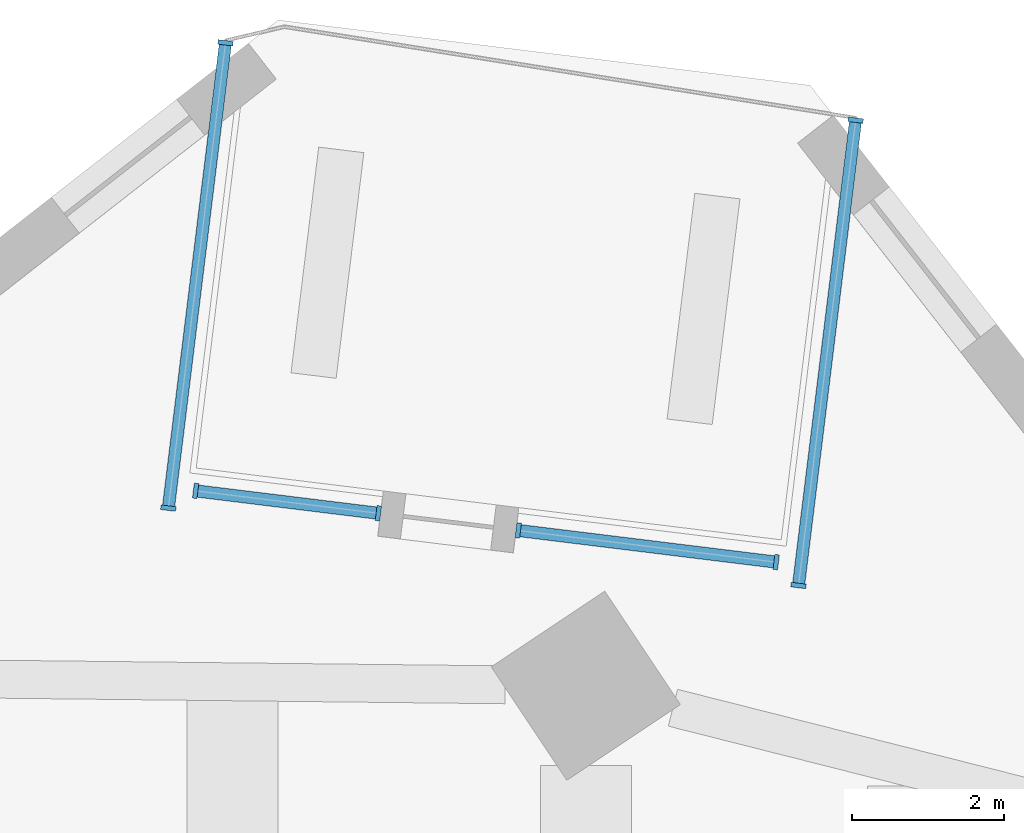
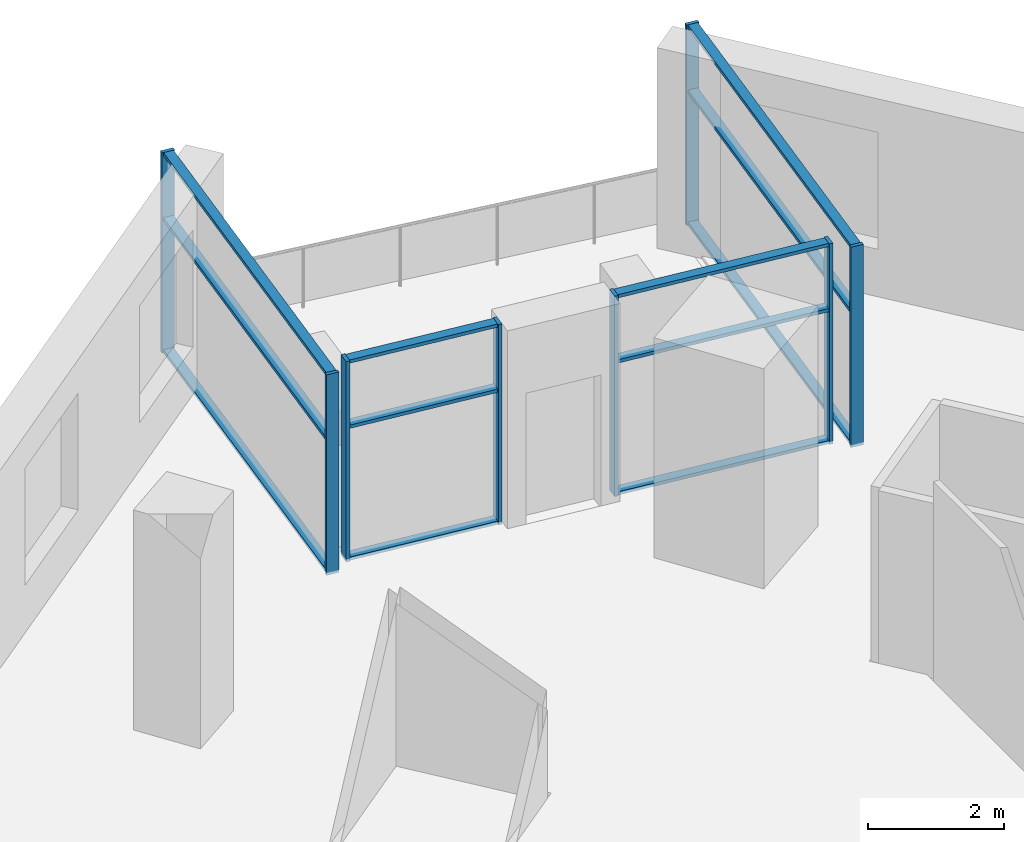
# One storey, part 2 of 11: 20 members, 4 elements without a shape of their own.
"""IFC4 building model written with IfcOpenShell, lengths in metres."""

from ifc_helpers import new_model, si_unit, direction, frame, origin, origin_2d, place, context, subcontext, project, spatial, rectangle, extrude, material, material_profile, profile_set, type_object, element, aggregate, save


model = new_model("IFC4")

# Units and contexts
model_context = context("Model", 3, precision=1e-05, world=origin(), true_north=direction((0.0, 1.0)))
body_context = subcontext(model_context, "Body", "Model", "MODEL_VIEW")
ifc_project = project(units=[si_unit("LENGTHUNIT", "METRE"), si_unit("AREAUNIT", "SQUARE_METRE"), si_unit("VOLUMEUNIT", "CUBIC_METRE"), si_unit("PLANEANGLEUNIT", "RADIAN"), si_unit("MASSUNIT", "GRAM", prefix="KILO")], contexts=[model_context])

# Site, building, storey
site_placement = place(None, origin())
site = spatial("IfcSite", under=ifc_project, at=site_placement, CompositionType="ELEMENT")
building_placement = place(site_placement, origin())
building = spatial("IfcBuilding", under=site, at=building_placement, Name="Dilmun Exchange Tower", CompositionType="ELEMENT")
storey_placement = place(building_placement, frame((0.0, 0.0, 179.699951171875)))
storey = spatial("IfcBuildingStorey", under=building, at=storey_placement, Name="L42", CompositionType="ELEMENT", Elevation=179.699951171875)

# Curtain wall, members
ifc_material_1 = material(Name="Anodised aluminium and clear glass", Category="aluminium")
curtain_wall_type = type_object("IfcCurtainWallType", Name="Garden corner glazing", PredefinedType="NOTDEFINED", material=ifc_material_1)
curtain_wall_1_placement = place(storey_placement, origin())
curtain_wall_1 = element("IfcCurtainWall", 1, at=curtain_wall_1_placement, inside=storey, type_object=curtain_wall_type, Name="Garden corner glazing run GC1.1", PredefinedType="NOTDEFINED")
ifc_material_2 = material(Name="Anodised aluminium", Category="aluminium")
ifc_material_profile_1 = material_profile(ifc_material_2, rectangle(XDim=0.199951171875, YDim=0.06005859375, at=origin_2d()), Name="AL 60x200")
ifc_profile_set_1 = profile_set([ifc_material_profile_1], Name="Anodised aluminium")
member_type_1 = type_object("IfcMemberType", Name="Garden corner glazing mullion 60 x 200", PredefinedType="MULLION", material=ifc_profile_set_1)
member_1_placement = place(storey_placement, frame((11.067138671875, 34.872802734375, 0.0), z_axis=(0.0, 0.0, 1.0), x_axis=(0.992545222089, -0.121876913761, 0.0)))
member_1 = element("IfcMember", 2, at=member_1_placement, type_object=member_type_1, Name="GC1.1 mullion 1", PredefinedType="MULLION", context=body_context, shape_type="SweptSolid", body=[
    extrude(rectangle(XDim=0.199951171875, YDim=0.06005859375, at=origin_2d()), origin(), (0.0, 0.0, 1.0), 3.60009765625),
])
member_2_placement = place(storey_placement, frame((10.313232421875, 28.732666015625, 0.0), z_axis=(0.0, 0.0, 1.0), x_axis=(0.992545222089, -0.121876913761, 0.0)))
member_2 = element("IfcMember", 3, at=member_2_placement, type_object=member_type_1, Name="GC1.1 mullion 2", PredefinedType="MULLION", context=body_context, shape_type="SweptSolid", body=[
    extrude(rectangle(XDim=0.199951171875, YDim=0.06005859375, at=origin_2d()), origin(), (0.0, 0.0, 1.0), 3.60009765625),
])

curtain_wall_2_placement = place(storey_placement, origin())
curtain_wall_2 = element("IfcCurtainWall", 4, at=curtain_wall_2_placement, inside=storey, type_object=curtain_wall_type, Name="Garden corner glazing run GC2.1", PredefinedType="NOTDEFINED")
member_3_placement = place(storey_placement, frame((10.0185546875, 29.040771484375, 0.0), z_axis=(0.0, 0.0, 1.0), x_axis=(-0.121893282904, -0.992543211947, 0.0)))
member_3 = element("IfcMember", 5, at=member_3_placement, type_object=member_type_1, Name="GC2.1 mullion 1", PredefinedType="MULLION", context=body_context, shape_type="SweptSolid", body=[
    extrude(rectangle(XDim=0.199951171875, YDim=0.06005859375, at=origin_2d()), origin(), (0.0, 0.0, 1.0), 3.60009765625),
])
member_4_placement = place(storey_placement, frame((6.614990234375, 29.458740234375, 0.0), z_axis=(0.0, 0.0, 1.0), x_axis=(-0.121893282904, -0.992543211947, 0.0)))
member_4 = element("IfcMember", 6, at=member_4_placement, type_object=member_type_1, Name="GC2.1 mullion 2", PredefinedType="MULLION", context=body_context, shape_type="SweptSolid", body=[
    extrude(rectangle(XDim=0.199951171875, YDim=0.06005859375, at=origin_2d()), origin(), (0.0, 0.0, 1.0), 3.60009765625),
])

curtain_wall_3_placement = place(storey_placement, origin())
curtain_wall_3 = element("IfcCurtainWall", 7, at=curtain_wall_3_placement, inside=storey, type_object=curtain_wall_type, Name="Garden corner glazing run GC2.3", PredefinedType="NOTDEFINED")
member_5_placement = place(storey_placement, frame((4.768798828125, 29.685302734375, 0.0), z_axis=(0.0, 0.0, 1.0), x_axis=(-0.121893384625, -0.992543199455, 0.0)))
member_5 = element("IfcMember", 8, at=member_5_placement, type_object=member_type_1, Name="GC2.3 mullion 1", PredefinedType="MULLION", context=body_context, shape_type="SweptSolid", body=[
    extrude(rectangle(XDim=0.199951171875, YDim=0.06005859375, at=origin_2d()), origin(), (0.0, 0.0, 1.0), 3.60009765625),
])
member_6_placement = place(storey_placement, frame((2.35791015625, 29.9814453125, 0.0), z_axis=(0.0, 0.0, 1.0), x_axis=(-0.121893384625, -0.992543199455, 0.0)))
member_6 = element("IfcMember", 9, at=member_6_placement, type_object=member_type_1, Name="GC2.3 mullion 2", PredefinedType="MULLION", context=body_context, shape_type="SweptSolid", body=[
    extrude(rectangle(XDim=0.199951171875, YDim=0.06005859375, at=origin_2d()), origin(), (0.0, 0.0, 1.0), 3.60009765625),
])

curtain_wall_4_placement = place(storey_placement, origin())
curtain_wall_4 = element("IfcCurtainWall", 10, at=curtain_wall_4_placement, inside=storey, type_object=curtain_wall_type, Name="Garden corner glazing run GC3.1", PredefinedType="NOTDEFINED")
member_7_placement = place(storey_placement, frame((1.99755859375, 29.753662109375, 0.0), z_axis=(0.0, 0.0, 1.0), x_axis=(-0.992547158556, 0.12186114246, 0.0)))
member_7 = element("IfcMember", 11, at=member_7_placement, type_object=member_type_1, Name="GC3.1 mullion 1", PredefinedType="MULLION", context=body_context, shape_type="SweptSolid", body=[
    extrude(rectangle(XDim=0.199951171875, YDim=0.06005859375, at=origin_2d()), origin(), (0.0, 0.0, 1.0), 3.60009765625),
])
member_8_placement = place(storey_placement, frame((2.75146484375, 35.89404296875, 0.0), z_axis=(0.0, 0.0, 1.0), x_axis=(-0.992547158556, 0.12186114246, 0.0)))
member_8 = element("IfcMember", 12, at=member_8_placement, type_object=member_type_1, Name="GC3.1 mullion 2", PredefinedType="MULLION", context=body_context, shape_type="SweptSolid", body=[
    extrude(rectangle(XDim=0.199951171875, YDim=0.06005859375, at=origin_2d()), origin(), (0.0, 0.0, 1.0), 3.60009765625),
])

# Member
ifc_material_profile_2 = material_profile(ifc_material_2, rectangle(XDim=0.159912109375, YDim=0.06005859375, at=origin_2d()), Name="AL 60x160")
ifc_profile_set_2 = profile_set([ifc_material_profile_2], Name="Anodised aluminium")
member_type_2 = type_object("IfcMemberType", Name="Garden corner glazing transom 60 x 160", PredefinedType="USERDEFINED", material=ifc_profile_set_2)
member_9_placement = place(storey_placement, frame((11.0634765625, 34.84326171875, 0.030029296875), z_axis=(-0.121861685747, -0.992547091854, 0.0), x_axis=(0.992547091854, -0.121861685747, 0.0)))
member_9 = element("IfcMember", 13, at=member_9_placement, type_object=member_type_2, Name="GC1.1 transom 1.1", ObjectType="TRANSOM", PredefinedType="USERDEFINED", context=body_context, shape_type="SweptSolid", body=[
    extrude(rectangle(XDim=0.159912109375, YDim=0.06005859375, at=origin_2d()), origin(), (0.0, 0.0, 1.0), 6.12646484375),
])

member_10_placement = place(storey_placement, frame((11.0634765625, 34.84326171875, 2.400146484375), z_axis=(-0.121861685747, -0.992547091854, 0.0), x_axis=(0.992547091854, -0.121861685747, 0.0)))
member_10 = element("IfcMember", 14, at=member_10_placement, type_object=member_type_2, Name="GC1.1 transom 1.2", ObjectType="TRANSOM", PredefinedType="USERDEFINED", context=body_context, shape_type="SweptSolid", body=[
    extrude(rectangle(XDim=0.159912109375, YDim=0.06005859375, at=origin_2d()), origin(), (0.0, 0.0, 1.0), 6.12646484375),
])

member_11_placement = place(storey_placement, frame((11.0634765625, 34.84326171875, 3.570068359375), z_axis=(-0.121861685747, -0.992547091854, 0.0), x_axis=(0.992547091854, -0.121861685747, 0.0)))
member_11 = element("IfcMember", 15, at=member_11_placement, type_object=member_type_2, Name="GC1.1 transom 1.3", ObjectType="TRANSOM", PredefinedType="USERDEFINED", context=body_context, shape_type="SweptSolid", body=[
    extrude(rectangle(XDim=0.159912109375, YDim=0.06005859375, at=origin_2d()), origin(), (0.0, 0.0, 1.0), 6.12646484375),
])

aggregate(curtain_wall_1, [member_1, member_2, member_9, member_10, member_11])

member_12_placement = place(storey_placement, frame((9.98876953125, 29.04443359375, 0.030029296875), z_axis=(-0.992544224284, 0.121885039443, 0.0), x_axis=(-0.121885039443, -0.992544224284, 0.0)))
member_12 = element("IfcMember", 16, at=member_12_placement, type_object=member_type_2, Name="GC2.1 transom 1.1", ObjectType="TRANSOM", PredefinedType="USERDEFINED", context=body_context, shape_type="SweptSolid", body=[
    extrude(rectangle(XDim=0.159912109375, YDim=0.06005859375, at=origin_2d()), origin(), (0.0, 0.0, 1.0), 3.369140625),
])

member_13_placement = place(storey_placement, frame((9.98876953125, 29.04443359375, 2.400146484375), z_axis=(-0.992544224284, 0.121885039443, 0.0), x_axis=(-0.121885039443, -0.992544224284, 0.0)))
member_13 = element("IfcMember", 17, at=member_13_placement, type_object=member_type_2, Name="GC2.1 transom 1.2", ObjectType="TRANSOM", PredefinedType="USERDEFINED", context=body_context, shape_type="SweptSolid", body=[
    extrude(rectangle(XDim=0.159912109375, YDim=0.06005859375, at=origin_2d()), origin(), (0.0, 0.0, 1.0), 3.369140625),
])

member_14_placement = place(storey_placement, frame((9.98876953125, 29.04443359375, 3.570068359375), z_axis=(-0.992544224284, 0.121885039443, 0.0), x_axis=(-0.121885039443, -0.992544224284, 0.0)))
member_14 = element("IfcMember", 18, at=member_14_placement, type_object=member_type_2, Name="GC2.1 transom 1.3", ObjectType="TRANSOM", PredefinedType="USERDEFINED", context=body_context, shape_type="SweptSolid", body=[
    extrude(rectangle(XDim=0.159912109375, YDim=0.06005859375, at=origin_2d()), origin(), (0.0, 0.0, 1.0), 3.369140625),
])

aggregate(curtain_wall_2, [member_3, member_4, member_12, member_13, member_14])

member_15_placement = place(storey_placement, frame((4.739013671875, 29.68896484375, 0.030029296875), z_axis=(-0.992540392632, 0.121916237616, 0.0), x_axis=(-0.121916237616, -0.992540392632, 0.0)))
member_15 = element("IfcMember", 19, at=member_15_placement, type_object=member_type_2, Name="GC2.3 transom 1.1", ObjectType="TRANSOM", PredefinedType="USERDEFINED", context=body_context, shape_type="SweptSolid", body=[
    extrude(rectangle(XDim=0.159912109375, YDim=0.06005859375, at=origin_2d()), origin(), (0.0, 0.0, 1.0), 2.368896484375),
])

member_16_placement = place(storey_placement, frame((4.739013671875, 29.68896484375, 2.400146484375), z_axis=(-0.992540392632, 0.121916237616, 0.0), x_axis=(-0.121916237616, -0.992540392632, 0.0)))
member_16 = element("IfcMember", 20, at=member_16_placement, type_object=member_type_2, Name="GC2.3 transom 1.2", ObjectType="TRANSOM", PredefinedType="USERDEFINED", context=body_context, shape_type="SweptSolid", body=[
    extrude(rectangle(XDim=0.159912109375, YDim=0.06005859375, at=origin_2d()), origin(), (0.0, 0.0, 1.0), 2.368896484375),
])

member_17_placement = place(storey_placement, frame((4.739013671875, 29.68896484375, 3.570068359375), z_axis=(-0.992540392632, 0.121916237616, 0.0), x_axis=(-0.121916237616, -0.992540392632, 0.0)))
member_17 = element("IfcMember", 21, at=member_17_placement, type_object=member_type_2, Name="GC2.3 transom 1.3", ObjectType="TRANSOM", PredefinedType="USERDEFINED", context=body_context, shape_type="SweptSolid", body=[
    extrude(rectangle(XDim=0.159912109375, YDim=0.06005859375, at=origin_2d()), origin(), (0.0, 0.0, 1.0), 2.368896484375),
])

aggregate(curtain_wall_3, [member_5, member_6, member_15, member_16, member_17])

member_18_placement = place(storey_placement, frame((2.001220703125, 29.783447265625, 0.030029296875), z_axis=(0.121861685747, 0.992547091854, 0.0), x_axis=(-0.992547091854, 0.121861685747, 0.0)))
member_18 = element("IfcMember", 22, at=member_18_placement, type_object=member_type_2, Name="GC3.1 transom 1.1", ObjectType="TRANSOM", PredefinedType="USERDEFINED", context=body_context, shape_type="SweptSolid", body=[
    extrude(rectangle(XDim=0.159912109375, YDim=0.06005859375, at=origin_2d()), origin(), (0.0, 0.0, 1.0), 6.12646484375),
])

member_19_placement = place(storey_placement, frame((2.001220703125, 29.783447265625, 2.400146484375), z_axis=(0.121861685747, 0.992547091854, 0.0), x_axis=(-0.992547091854, 0.121861685747, 0.0)))
member_19 = element("IfcMember", 23, at=member_19_placement, type_object=member_type_2, Name="GC3.1 transom 1.2", ObjectType="TRANSOM", PredefinedType="USERDEFINED", context=body_context, shape_type="SweptSolid", body=[
    extrude(rectangle(XDim=0.159912109375, YDim=0.06005859375, at=origin_2d()), origin(), (0.0, 0.0, 1.0), 6.12646484375),
])

member_20_placement = place(storey_placement, frame((2.001220703125, 29.783447265625, 3.570068359375), z_axis=(0.121861685747, 0.992547091854, 0.0), x_axis=(-0.992547091854, 0.121861685747, 0.0)))
member_20 = element("IfcMember", 24, at=member_20_placement, type_object=member_type_2, Name="GC3.1 transom 1.3", ObjectType="TRANSOM", PredefinedType="USERDEFINED", context=body_context, shape_type="SweptSolid", body=[
    extrude(rectangle(XDim=0.159912109375, YDim=0.06005859375, at=origin_2d()), origin(), (0.0, 0.0, 1.0), 6.12646484375),
])

aggregate(curtain_wall_4, [member_7, member_8, member_18, member_19, member_20])

save(model, "model.ifc")
